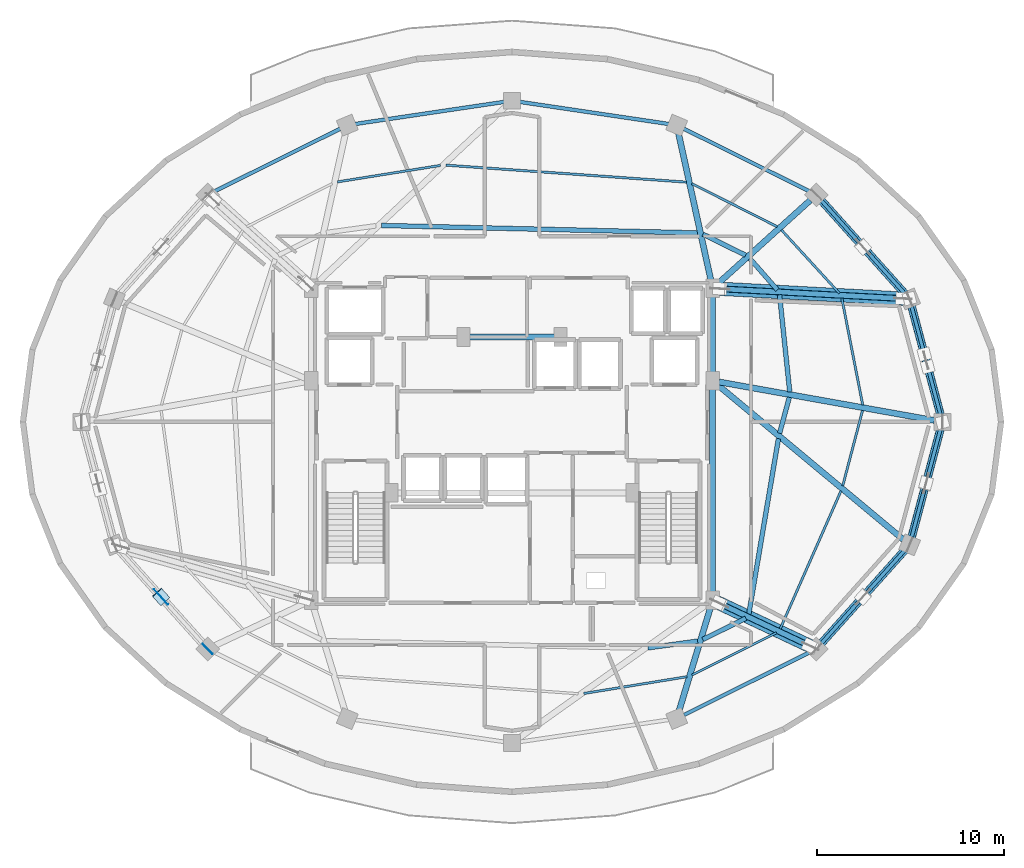
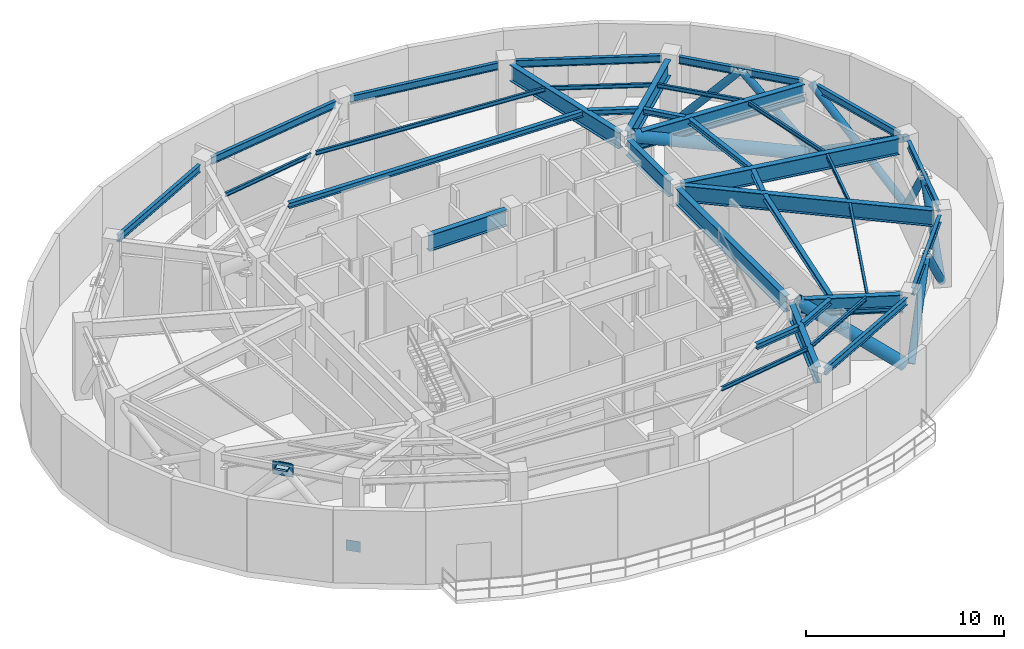
# One storey, part 2 of 10: 36 beams, 13 members, 4 plates.
"""IFC4 building model written with IfcOpenShell, lengths in metres."""

import ifcopenshell
import ifcopenshell.guid

model = None  # the IFC model being written
_history = None  # IfcOwnerHistory: only IFC2X3 demands one
_inside = {}  # id of a spatial element -> (the spatial element, [elements in it])
_under = {}  # id of a project, library or spatial element -> (it, [spatial elements below it])
_declared = {}  # id of a project -> (the project, [libraries it declares])
_typed = {}  # id of a type object -> (the type object, [elements of that type])
_made_of = {}  # id of a material, layer set ... -> (it, [elements and type objects made of it])


def new_model(schema):
    """Start an empty IFC model of exactly this schema.

    Asked for "IFC4X3", IfcOpenShell would pick the latest addendum, in which some entities
    have other attributes; the version numbers below select the first issue.
    IFC2X3 requires an IfcOwnerHistory on every rooted entity: one is made here for all.
    """
    global model, _history
    if schema == "IFC4X3":
        model = ifcopenshell.file(schema_version=(4, 3, 0, 0))
    else:
        model = ifcopenshell.file(schema=schema)
    _inside.clear()
    _under.clear()
    _declared.clear()
    _typed.clear()
    _made_of.clear()
    _history = None
    if model.schema == "IFC2X3":
        org = make("IfcOrganization", Name="unknown")
        user = make(
            "IfcPersonAndOrganization",
            ThePerson=make("IfcPerson", FamilyName="unknown"),
            TheOrganization=org,
        )
        app = make(
            "IfcApplication",
            ApplicationDeveloper=org,
            Version="unknown",
            ApplicationFullName="unknown",
            ApplicationIdentifier="unknown",
        )
        _history = make(
            "IfcOwnerHistory",
            OwningUser=user,
            OwningApplication=app,
            ChangeAction="ADDED",
            CreationDate=0,
        )
    return model


def make(cls, **values):
    """One entity of the class cls with the attributes given. An attribute that is None is left unset."""
    return model.create_entity(
        cls, **{name: value for name, value in values.items() if value is not None}
    )


def rooted(cls, **values):
    """An entity with a GlobalId (a new one), such as an element, a storey or a relation."""
    return make(cls, GlobalId=ifcopenshell.guid.new(), OwnerHistory=_history, **values)


def si_unit(unit_type, name, prefix=None):
    """IfcSIUnit, for example si_unit("LENGTHUNIT", "METRE", prefix="MILLI")."""
    return make("IfcSIUnit", UnitType=unit_type, Prefix=prefix, Name=name)


def assignment(units):
    """IfcUnitAssignment: the units of a project."""
    return None if units is None else make("IfcUnitAssignment", Units=units)


def point(xyz):
    """IfcCartesianPoint."""
    return None if xyz is None else make("IfcCartesianPoint", Coordinates=xyz)


def direction(xyz):
    """IfcDirection."""
    return None if xyz is None else make("IfcDirection", DirectionRatios=xyz)


def frame(location, z_axis=None, x_axis=None):
    """IfcAxis2Placement3D, a coordinate frame: its origin and axes. An axis left out is left unset."""
    return make(
        "IfcAxis2Placement3D",
        Location=point(location),
        Axis=direction(z_axis),
        RefDirection=direction(x_axis),
    )


def frame_2d(location, x_axis=None):
    """IfcAxis2Placement2D, a coordinate frame in the plane: its origin and x axis."""
    return make(
        "IfcAxis2Placement2D", Location=point(location), RefDirection=direction(x_axis)
    )


def origin():
    """The frame at (0, 0, 0) with its axes left unset."""
    return frame((0.0, 0.0, 0.0))


def origin_2d():
    """The frame at (0, 0) in the plane with its x axis left unset."""
    return frame_2d((0.0, 0.0))


def place(relative_to, where):
    """IfcLocalPlacement: puts the frame where relative to a parent placement (None: the world)."""
    return make(
        "IfcLocalPlacement", PlacementRelTo=relative_to, RelativePlacement=where
    )


def context(
    kind, dimensions, precision=None, world=None, true_north=None, identifier=None
):
    """IfcGeometricRepresentationContext, for example the 3D "Model" context."""
    return make(
        "IfcGeometricRepresentationContext",
        ContextIdentifier=identifier,
        ContextType=kind,
        CoordinateSpaceDimension=dimensions,
        Precision=precision,
        WorldCoordinateSystem=world,
        TrueNorth=true_north,
    )


def subcontext(parent, identifier, kind, view, scale=None):
    """IfcGeometricRepresentationSubContext, for example "Body" below "Model"."""
    return make(
        "IfcGeometricRepresentationSubContext",
        ContextIdentifier=identifier,
        ContextType=kind,
        ParentContext=parent,
        TargetScale=scale,
        TargetView=view,
    )


def project(units=None, contexts=None):
    """IfcProject with its units and contexts."""
    return rooted(
        "IfcProject",
        Name="project",
        RepresentationContexts=contexts,
        UnitsInContext=assignment(units),
    )


def spatial(cls, under=None, at=None, **own):
    """A site, building, storey or space (cls), placed at a placement, below another one or the project."""
    s = rooted(cls, ObjectPlacement=at, **own)
    if under is not None:
        _under.setdefault(under.id(), (under, []))[1].append(s)
    return s


def profile(cls, at=None, kind="AREA", **sizes):
    """A parametric profile (cls). Its sizes go by their IFC names, for example OverallWidth=200.0."""
    return make(cls, ProfileType=kind, Position=at, **sizes)


def rectangle(**sizes):
    """IfcRectangleProfileDef."""
    return profile("IfcRectangleProfileDef", **sizes)


def hollow_rectangle(**sizes):
    """IfcRectangleHollowProfileDef."""
    return profile("IfcRectangleHollowProfileDef", **sizes)


def hollow_circle(**sizes):
    """IfcCircleHollowProfileDef."""
    return profile("IfcCircleHollowProfileDef", **sizes)


def i_section(**sizes):
    """IfcIShapeProfileDef."""
    return profile("IfcIShapeProfileDef", **sizes)


def extrude(swept, where, along, depth):
    """IfcExtrudedAreaSolid: the profile swept, set in the frame where, extruded along a direction by depth."""
    return make(
        "IfcExtrudedAreaSolid",
        SweptArea=swept,
        Position=where,
        ExtrudedDirection=direction(along),
        Depth=depth,
    )


def shape(context_of_items, identifier, shape_type, items):
    """IfcShapeRepresentation: the items that make up one representation, for example the "Body"."""
    return make(
        "IfcShapeRepresentation",
        ContextOfItems=context_of_items,
        RepresentationIdentifier=identifier,
        RepresentationType=shape_type,
        Items=items,
    )


def material(Name=None, Category=None):
    """IfcMaterial."""
    return make("IfcMaterial", Name=Name, Category=Category)


def layer(
    of_material, thickness, ventilated=None, Name=None, Category=None, Priority=None
):
    """IfcMaterialLayer: one layer of a wall or slab, of a material (None: an air gap)."""
    return make(
        "IfcMaterialLayer",
        Material=of_material,
        LayerThickness=thickness,
        IsVentilated=ventilated,
        Name=Name,
        Category=Category,
        Priority=Priority,
    )


def layer_set(layers, Name=None):
    """IfcMaterialLayerSet."""
    return make("IfcMaterialLayerSet", MaterialLayers=layers, LayerSetName=Name)


def material_profile(
    of_material, cross_section, Name=None, Category=None, Priority=None
):
    """IfcMaterialProfile: a cross section and its material."""
    return make(
        "IfcMaterialProfile",
        Name=Name,
        Material=of_material,
        Profile=cross_section,
        Priority=Priority,
        Category=Category,
    )


def profile_set(profiles, Name=None, composite=None):
    """IfcMaterialProfileSet."""
    return make(
        "IfcMaterialProfileSet",
        Name=Name,
        MaterialProfiles=profiles,
        CompositeProfile=composite,
    )


def made_of(thing, what):
    """Note that an element or type object is made of a material, layer set ...; save() writes the relation."""
    if what is not None:
        _made_of.setdefault(what.id(), (what, []))[1].append(thing)
    return thing


def type_object(cls, material=None, **own):
    """A type object (cls), such as IfcWallType, which elements share."""
    return made_of(rooted(cls, **own), material)


def element(
    cls,
    number,
    at=None,
    inside=None,
    cuts=None,
    type_object=None,
    material=None,
    context=None,
    identifier="Body",
    shape_type=None,
    held_by="IfcProductDefinitionShape",
    body=None,
    shapes=None,
    **own,
):
    """One element of the class cls, such as IfcWall. Its Tag is "e" and its number.

    at: its placement. inside: the storey or other place that contains it. cuts: it is an
    opening in that element (IfcRelVoidsElement). A single representation is given by context,
    identifier, shape_type and body (its items); several are given by shapes. held_by: the class
    of the entity that holds the representations. save() writes the other relations.
    """
    e = rooted(cls, Tag="e%d" % number, ObjectPlacement=at, **own)
    if body is not None:
        shapes = [shape(context, identifier, shape_type, body)]
    if shapes is not None:
        e.Representation = make(held_by, Representations=shapes)
    if inside is not None:
        _inside.setdefault(inside.id(), (inside, []))[1].append(e)
    if cuts is not None:
        rooted(
            "IfcRelVoidsElement", RelatingBuildingElement=cuts, RelatedOpeningElement=e
        )
    if type_object is not None:
        _typed.setdefault(type_object.id(), (type_object, []))[1].append(e)
    return made_of(e, material)


def aggregate(whole, parts):
    """IfcRelAggregates: a whole, such as a stair, and the parts it consists of."""
    return rooted("IfcRelAggregates", RelatingObject=whole, RelatedObjects=parts)


def save(model, path):
    """Write the relations noted so far, then the file.

    IfcRelAggregates (storeys below a building ...), IfcRelContainedInSpatialStructure (elements
    in a storey), IfcRelDefinesByType, IfcRelAssociatesMaterial and IfcRelDeclares: one each for
    every whole, place, type object, material and project.
    """
    for whole, parts in _under.values():
        aggregate(whole, parts)
    for where, things in _inside.values():
        rooted(
            "IfcRelContainedInSpatialStructure",
            RelatedElements=things,
            RelatingStructure=where,
        )
    for kind, things in _typed.values():
        rooted("IfcRelDefinesByType", RelatedObjects=things, RelatingType=kind)
    for what, things in _made_of.values():
        rooted("IfcRelAssociatesMaterial", RelatedObjects=things, RelatingMaterial=what)
    for by, libraries in _declared.values():
        rooted("IfcRelDeclares", RelatingContext=by, RelatedDefinitions=libraries)
    model.write(path)


model = new_model("IFC4")

# Units and contexts
model_context = context("Model", 3, precision=1e-05, world=origin(), true_north=direction((0.0, 1.0)))
body_context = subcontext(model_context, "Body", "Model", "MODEL_VIEW")
ifc_project = project(units=[si_unit("LENGTHUNIT", "METRE"), si_unit("AREAUNIT", "SQUARE_METRE"), si_unit("VOLUMEUNIT", "CUBIC_METRE"), si_unit("PLANEANGLEUNIT", "RADIAN"), si_unit("MASSUNIT", "GRAM", prefix="KILO")], contexts=[model_context])

# Site, building, storey
site_placement = place(None, origin())
site = spatial("IfcSite", under=ifc_project, at=site_placement, CompositionType="ELEMENT")
building_placement = place(site_placement, origin())
building = spatial("IfcBuilding", under=site, at=building_placement, Name="Vorneva Point Tower", CompositionType="ELEMENT")
storey_placement = place(building_placement, frame((0.0, 0.0, 224.949951171875)))
storey = spatial("IfcBuildingStorey", under=building, at=storey_placement, Name="L61", CompositionType="ELEMENT", Elevation=224.949951171875)

# Beams
ifc_material_1 = material(Name="Steel S460", Category="steel")
ifc_material_profile_1 = material_profile(ifc_material_1, i_section(OverallWidth=0.320068359375, OverallDepth=0.998046875, WebThickness=0.01708984375, FlangeThickness=0.027099609375, at=origin_2d()), Name="100Sh2")
ifc_profile_set_1 = profile_set([ifc_material_profile_1], Name="Steel S460")
beam_type_1 = type_object("IfcBeamType", Name="BM-GRD-100Sh2", PredefinedType="USERDEFINED", material=ifc_profile_set_1)
beam_1_placement = place(storey_placement, frame((60.618896484375, 26.0771484375, 4.0009765625), z_axis=(-0.984378602255, 0.176064668298, 0.0), x_axis=(-0.176064668298, -0.984378602255, 0.0)))
element("IfcBeam", 1, at=beam_1_placement, inside=storey, type_object=beam_type_1, Name="L61 Radial Primary Girder 01", ObjectType="GIRDER", PredefinedType="USERDEFINED", context=body_context, shape_type="SweptSolid", body=[
    extrude(i_section(OverallWidth=0.320068359375, OverallDepth=0.998046875, WebThickness=0.01708984375, FlangeThickness=0.027099609375, at=origin_2d()), origin(), (0.0, 0.0, 1.0), 11.71728515625),
])
beam_2_placement = place(storey_placement, frame((58.85791015625, 32.605712890625, 4.0009765625), z_axis=(-0.998554028182, 0.053757351146, 0.0), x_axis=(-0.053757351146, -0.998554028182, 0.0)))
element("IfcBeam", 2, at=beam_2_placement, inside=storey, type_object=beam_type_1, Name="L61 Radial Primary Girder 02", ObjectType="GIRDER", PredefinedType="USERDEFINED", context=body_context, shape_type="SweptSolid", body=[
    extrude(i_section(OverallWidth=0.320068359375, OverallDepth=0.998046875, WebThickness=0.01708984375, FlangeThickness=0.027099609375, at=origin_2d()), origin(), (0.0, 0.0, 1.0), 9.782470703125),
])
beam_3_placement = place(storey_placement, frame((53.973876953125, 37.86865234375, 4.0009765625), z_axis=(-0.742089778537, -0.670300500217, 0.0), x_axis=(0.670300500217, -0.742089778537, 0.0)))
element("IfcBeam", 3, at=beam_3_placement, inside=storey, type_object=beam_type_1, Name="L61 Radial Primary Girder 03", ObjectType="GIRDER", PredefinedType="USERDEFINED", context=body_context, shape_type="SweptSolid", body=[
    extrude(i_section(OverallWidth=0.320068359375, OverallDepth=0.998046875, WebThickness=0.01708984375, FlangeThickness=0.027099609375, at=origin_2d()), origin(), (0.0, 0.0, 1.0), 6.699462890625),
])
beam_4_placement = place(storey_placement, frame((46.915283203125, 41.462890625, 4.0009765625), z_axis=(0.215522758292, -0.976498817541, 0.0), x_axis=(0.976498817541, 0.215522758292, 0.0)))
element("IfcBeam", 4, at=beam_4_placement, inside=storey, type_object=beam_type_1, Name="L61 Radial Primary Girder 04", ObjectType="GIRDER", PredefinedType="USERDEFINED", context=body_context, shape_type="SweptSolid", body=[
    extrude(i_section(OverallWidth=0.320068359375, OverallDepth=0.998046875, WebThickness=0.01708984375, FlangeThickness=0.027099609375, at=origin_2d()), origin(), (0.0, 0.0, 1.0), 8.173095703125),
])
beam_5_placement = place(storey_placement, frame((46.948486328125, 10.5283203125, 4.0009765625), z_axis=(0.291025429135, 0.956715317948, 0.0), x_axis=(-0.956715317948, 0.291025429135, 0.0)))
element("IfcBeam", 5, at=beam_5_placement, inside=storey, type_object=beam_type_1, Name="L61 Radial Primary Girder 14", ObjectType="GIRDER", PredefinedType="USERDEFINED", context=body_context, shape_type="SweptSolid", body=[
    extrude(i_section(OverallWidth=0.320068359375, OverallDepth=0.998046875, WebThickness=0.01708984375, FlangeThickness=0.027099609375, at=origin_2d()), origin(), (0.0, 0.0, 1.0), 5.849609375),
])
beam_6_placement = place(storey_placement, frame((53.902587890625, 14.0244140625, 4.0009765625), z_axis=(-0.904762899762, 0.42591559635, 0.0), x_axis=(-0.42591559635, -0.904762899762, 0.0)))
element("IfcBeam", 6, at=beam_6_placement, inside=storey, type_object=beam_type_1, Name="L61 Radial Primary Girder 15", ObjectType="GIRDER", PredefinedType="USERDEFINED", context=body_context, shape_type="SweptSolid", body=[
    extrude(i_section(OverallWidth=0.320068359375, OverallDepth=0.998046875, WebThickness=0.01708984375, FlangeThickness=0.027099609375, at=origin_2d()), origin(), (0.0, 0.0, 1.0), 5.35498046875),
])
beam_7_placement = place(storey_placement, frame((58.958740234375, 19.697998046875, 4.0009765625), z_axis=(-0.768417564517, 0.639948784311, 0.0), x_axis=(-0.639948784311, -0.768417564517, 0.0)))
element("IfcBeam", 7, at=beam_7_placement, inside=storey, type_object=beam_type_1, Name="L61 Radial Primary Girder 16", ObjectType="GIRDER", PredefinedType="USERDEFINED", context=body_context, shape_type="SweptSolid", body=[
    extrude(i_section(OverallWidth=0.320068359375, OverallDepth=0.998046875, WebThickness=0.01708984375, FlangeThickness=0.027099609375, at=origin_2d()), origin(), (0.0, 0.0, 1.0), 12.945556640625),
])
beam_8_placement = place(storey_placement, frame((48.75, 16.77001953125, 4.0009765625), z_axis=(0.0, 1.0, 0.0), x_axis=(-1.0, 0.0, 0.0)))
element("IfcBeam", 8, at=beam_8_placement, inside=storey, type_object=beam_type_1, Name="L61 Core Tie Girder CT3", ObjectType="GIRDER", PredefinedType="USERDEFINED", context=body_context, shape_type="SweptSolid", body=[
    extrude(i_section(OverallWidth=0.320068359375, OverallDepth=0.998046875, WebThickness=0.01708984375, FlangeThickness=0.027099609375, at=origin_2d()), origin(), (0.0, 0.0, 1.0), 11.10986328125),
])
beam_9_placement = place(storey_placement, frame((48.75, 28.52001953125, 4.0009765625), z_axis=(0.0, 1.0, 0.0), x_axis=(-1.0, 0.0, 0.0)))
element("IfcBeam", 9, at=beam_9_placement, inside=storey, type_object=beam_type_1, Name="L61 Core Tie Girder CT4", ObjectType="GIRDER", PredefinedType="USERDEFINED", context=body_context, shape_type="SweptSolid", body=[
    extrude(i_section(OverallWidth=0.320068359375, OverallDepth=0.998046875, WebThickness=0.01708984375, FlangeThickness=0.027099609375, at=origin_2d()), origin(), (0.0, 0.0, 1.0), 4.31005859375),
])
beam_10_placement = place(storey_placement, frame((35.719970703125, 30.550048828125, 4.0009765625), z_axis=(1.0, 0.0, 0.0), x_axis=(0.0, 1.0, 0.0)))
element("IfcBeam", 10, at=beam_10_placement, inside=storey, type_object=beam_type_1, Name="L61 Core Tie Girder CT8", ObjectType="GIRDER", PredefinedType="USERDEFINED", context=body_context, shape_type="SweptSolid", body=[
    extrude(i_section(OverallWidth=0.320068359375, OverallDepth=0.998046875, WebThickness=0.01708984375, FlangeThickness=0.027099609375, at=origin_2d()), origin(), (0.0, 0.0, 1.0), 4.56005859375),
])
ifc_material_2 = material(Name="Steel S355", Category="steel")
ifc_material_profile_2 = material_profile(ifc_material_2, i_section(OverallWidth=0.1240234375, OverallDepth=0.248046875, WebThickness=0.0048828125, FlangeThickness=0.008056640625, at=origin_2d()), Name="25B1")
ifc_profile_set_2 = profile_set([ifc_material_profile_2], Name="Steel S355")
beam_type_2 = type_object("IfcBeamType", Name="BM-JST-25B1", PredefinedType="JOIST", material=ifc_profile_set_2)
beam_11_placement = place(storey_placement, frame((56.7841796875, 26.903076171875, 4.3759765625), z_axis=(-0.192022110595, 0.98139059963, 0.0), x_axis=(-0.98139059963, -0.192022110595, 0.0)))
element("IfcBeam", 11, at=beam_11_placement, inside=storey, type_object=beam_type_2, Name="L61 Secondary Floor Beam 1.01", PredefinedType="JOIST", context=body_context, shape_type="SweptSolid", body=[
    extrude(i_section(OverallWidth=0.1240234375, OverallDepth=0.248046875, WebThickness=0.0048828125, FlangeThickness=0.008056640625, at=origin_2d()), origin(), (0.0, 0.0, 1.0), 5.839599609375),
])
beam_12_placement = place(storey_placement, frame((55.534423828125, 32.888427734375, 4.3759765625), z_axis=(-0.675084243002, 0.737740648772, 0.0), x_axis=(-0.737740648772, -0.675084243002, 0.0)))
element("IfcBeam", 12, at=beam_12_placement, inside=storey, type_object=beam_type_2, Name="L61 Secondary Floor Beam 1.02", PredefinedType="JOIST", context=body_context, shape_type="SweptSolid", body=[
    extrude(i_section(OverallWidth=0.1240234375, OverallDepth=0.248046875, WebThickness=0.0048828125, FlangeThickness=0.008056640625, at=origin_2d()), origin(), (0.0, 0.0, 1.0), 4.593994140625),
])
beam_13_placement = place(storey_placement, frame((52.201171875, 36.453369140625, 4.3759765625), z_axis=(-0.892618397327, 0.450813039688, 0.0), x_axis=(-0.450813039688, -0.892618397327, 0.0)))
element("IfcBeam", 13, at=beam_13_placement, inside=storey, type_object=beam_type_2, Name="L61 Secondary Floor Beam 1.03", PredefinedType="JOIST", context=body_context, shape_type="SweptSolid", body=[
    extrude(i_section(OverallWidth=0.1240234375, OverallDepth=0.248046875, WebThickness=0.0048828125, FlangeThickness=0.008056640625, at=origin_2d()), origin(), (0.0, 0.0, 1.0), 5.12255859375),
])
beam_14_placement = place(storey_placement, frame((47.348876953125, 38.839599609375, 4.3759765625), z_axis=(-0.997515672056, 0.070444900477, 0.0), x_axis=(-0.070444900477, -0.997515672056, 0.0)))
element("IfcBeam", 14, at=beam_14_placement, inside=storey, type_object=beam_type_2, Name="L61 Secondary Floor Beam 1.04", PredefinedType="JOIST", context=body_context, shape_type="SweptSolid", body=[
    extrude(i_section(OverallWidth=0.1240234375, OverallDepth=0.248046875, WebThickness=0.0048828125, FlangeThickness=0.008056640625, at=origin_2d()), origin(), (0.0, 0.0, 1.0), 12.9130859375),
])
beam_15_placement = place(storey_placement, frame((34.173828125, 39.736328125, 4.3759765625), z_axis=(-0.98744281042, -0.15797688486, 0.0), x_axis=(0.15797688486, -0.98744281042, 0.0)))
element("IfcBeam", 15, at=beam_15_placement, inside=storey, type_object=beam_type_2, Name="L61 Secondary Floor Beam 1.05", PredefinedType="JOIST", context=body_context, shape_type="SweptSolid", body=[
    extrude(i_section(OverallWidth=0.1240234375, OverallDepth=0.248046875, WebThickness=0.0048828125, FlangeThickness=0.008056640625, at=origin_2d()), origin(), (0.0, 0.0, 1.0), 5.594482421875),
])
beam_16_placement = place(storey_placement, frame((41.84130859375, 11.453369140625, 4.3759765625), z_axis=(0.987039433783, 0.160477899277, 0.0), x_axis=(-0.160477899277, 0.987039433783, 0.0)))
element("IfcBeam", 16, at=beam_16_placement, inside=storey, type_object=beam_type_2, Name="L61 Secondary Floor Beam 1.13", PredefinedType="JOIST", context=body_context, shape_type="SweptSolid", body=[
    extrude(i_section(OverallWidth=0.1240234375, OverallDepth=0.248046875, WebThickness=0.0048828125, FlangeThickness=0.008056640625, at=origin_2d()), origin(), (0.0, 0.0, 1.0), 5.595458984375),
])
beam_17_placement = place(storey_placement, frame((47.642578125, 12.44140625, 4.3759765625), z_axis=(0.894041288209, 0.447984570022, 0.0), x_axis=(-0.447984570022, 0.894041288209, 0.0)))
element("IfcBeam", 17, at=beam_17_placement, inside=storey, type_object=beam_type_2, Name="L61 Secondary Floor Beam 1.14", PredefinedType="JOIST", context=body_context, shape_type="SweptSolid", body=[
    extrude(i_section(OverallWidth=0.1240234375, OverallDepth=0.248046875, WebThickness=0.0048828125, FlangeThickness=0.008056640625, at=origin_2d()), origin(), (0.0, 0.0, 1.0), 5.0654296875),
])
beam_18_placement = place(storey_placement, frame((52.36328125, 14.91259765625, 4.3759765625), z_axis=(0.403185741412, 0.915118166098, 0.0), x_axis=(-0.915118166098, 0.403185741412, 0.0)))
element("IfcBeam", 18, at=beam_18_placement, inside=storey, type_object=beam_type_2, Name="L61 Secondary Floor Beam 1.15", PredefinedType="JOIST", context=body_context, shape_type="SweptSolid", body=[
    extrude(i_section(OverallWidth=0.1240234375, OverallDepth=0.248046875, WebThickness=0.0048828125, FlangeThickness=0.008056640625, at=origin_2d()), origin(), (0.0, 0.0, 1.0), 8.068603515625),
])
beam_19_placement = place(storey_placement, frame((55.713623046875, 22.5751953125, 4.3759765625), z_axis=(0.254099092917, 0.96717818988, 0.0), x_axis=(-0.96717818988, 0.254099092917, 0.0)))
element("IfcBeam", 19, at=beam_19_placement, inside=storey, type_object=beam_type_2, Name="L61 Secondary Floor Beam 1.16", PredefinedType="JOIST", context=body_context, shape_type="SweptSolid", body=[
    extrude(i_section(OverallWidth=0.1240234375, OverallDepth=0.248046875, WebThickness=0.0048828125, FlangeThickness=0.008056640625, at=origin_2d()), origin(), (0.0, 0.0, 1.0), 4.176513671875),
])
ifc_material_profile_3 = material_profile(ifc_material_2, i_section(OverallWidth=0.2490234375, OverallDepth=0.333984375, WebThickness=0.008056640625, FlangeThickness=0.010986328125, at=origin_2d()), Name="35Sh1")
ifc_profile_set_3 = profile_set([ifc_material_profile_3], Name="Steel S355")
beam_type_3 = type_object("IfcBeamType", Name="BM-SEC-35Sh1", PredefinedType="BEAM", material=ifc_profile_set_3)
beam_20_placement = place(storey_placement, frame((52.87548828125, 27.6064453125, 4.3330078125), z_axis=(-0.104505068857, 0.994524353942, 0.0), x_axis=(-0.994524353942, -0.104505068857, 0.0)))
element("IfcBeam", 20, at=beam_20_placement, inside=storey, type_object=beam_type_3, Name="L61 Secondary Floor Beam 2.01", PredefinedType="BEAM", context=body_context, shape_type="SweptSolid", body=[
    extrude(i_section(OverallWidth=0.2490234375, OverallDepth=0.333984375, WebThickness=0.008056640625, FlangeThickness=0.010986328125, at=origin_2d()), origin(), (0.0, 0.0, 1.0), 5.23291015625),
])
beam_21_placement = place(storey_placement, frame((52.21533203125, 33.0693359375, 4.3330078125), z_axis=(-0.659910991977, 0.751343784608, 0.0), x_axis=(-0.751343784608, -0.659910991977, 0.0)))
element("IfcBeam", 21, at=beam_21_placement, inside=storey, type_object=beam_type_3, Name="L61 Secondary Floor Beam 2.02", PredefinedType="BEAM", context=body_context, shape_type="SweptSolid", body=[
    extrude(i_section(OverallWidth=0.2490234375, OverallDepth=0.333984375, WebThickness=0.008056640625, FlangeThickness=0.010986328125, at=origin_2d()), origin(), (0.0, 0.0, 1.0), 2.23486328125),
])
beam_22_placement = place(storey_placement, frame((50.51025390625, 34.92529296875, 4.3330078125), z_axis=(-0.896927178467, 0.442178285907, 0.0), x_axis=(-0.442178285907, -0.896927178467, 0.0)))
element("IfcBeam", 22, at=beam_22_placement, inside=storey, type_object=beam_type_3, Name="L61 Secondary Floor Beam 2.03", PredefinedType="BEAM", context=body_context, shape_type="SweptSolid", body=[
    extrude(i_section(OverallWidth=0.2490234375, OverallDepth=0.333984375, WebThickness=0.008056640625, FlangeThickness=0.010986328125, at=origin_2d()), origin(), (0.0, 0.0, 1.0), 2.544189453125),
])
beam_23_placement = place(storey_placement, frame((47.947509765625, 36.119140625, 4.3330078125), z_axis=(-0.999720148473, 0.023656388924, 0.0), x_axis=(-0.023656388924, -0.999720148473, 0.0)))
element("IfcBeam", 23, at=beam_23_placement, inside=storey, type_object=beam_type_3, Name="L61 Secondary Floor Beam 2.04", PredefinedType="BEAM", context=body_context, shape_type="SweptSolid", body=[
    extrude(i_section(OverallWidth=0.2490234375, OverallDepth=0.333984375, WebThickness=0.008056640625, FlangeThickness=0.010986328125, at=origin_2d()), origin(), (0.0, 0.0, 1.0), 16.94580078125),
])
beam_24_placement = place(storey_placement, frame((45.28125, 13.897216796875, 4.3330078125), z_axis=(0.990931677857, 0.134366699071, 0.0), x_axis=(-0.134366699071, 0.990931677857, 0.0)))
element("IfcBeam", 24, at=beam_24_placement, inside=storey, type_object=beam_type_3, Name="L61 Secondary Floor Beam 2.13", PredefinedType="BEAM", context=body_context, shape_type="SweptSolid", body=[
    extrude(i_section(OverallWidth=0.2490234375, OverallDepth=0.333984375, WebThickness=0.008056640625, FlangeThickness=0.010986328125, at=origin_2d()), origin(), (0.0, 0.0, 1.0), 2.685546875),
])
beam_25_placement = place(storey_placement, frame((48.2216796875, 14.34375, 4.3330078125), z_axis=(0.89567743454, 0.444704321158, 0.0), x_axis=(-0.444704321158, 0.89567743454, 0.0)))
element("IfcBeam", 25, at=beam_25_placement, inside=storey, type_object=beam_type_3, Name="L61 Secondary Floor Beam 2.14", PredefinedType="BEAM", context=body_context, shape_type="SweptSolid", body=[
    extrude(i_section(OverallWidth=0.2490234375, OverallDepth=0.333984375, WebThickness=0.008056640625, FlangeThickness=0.010986328125, at=origin_2d()), origin(), (0.0, 0.0, 1.0), 2.5703125),
])
beam_26_placement = place(storey_placement, frame((50.68115234375, 15.698486328125, 4.3330078125), z_axis=(0.166519843804, 0.986038103533, 0.0), x_axis=(-0.986038103533, 0.166519843804, 0.0)))
element("IfcBeam", 26, at=beam_26_placement, inside=storey, type_object=beam_type_3, Name="L61 Secondary Floor Beam 2.15", PredefinedType="BEAM", context=body_context, shape_type="SweptSolid", body=[
    extrude(i_section(OverallWidth=0.2490234375, OverallDepth=0.333984375, WebThickness=0.008056640625, FlangeThickness=0.010986328125, at=origin_2d()), origin(), (0.0, 0.0, 1.0), 9.537109375),
])
beam_27_placement = place(storey_placement, frame((52.33251953125, 25.3916015625, 4.3330078125), z_axis=(0.260702374567, 0.965419220803, 0.0), x_axis=(-0.965419220803, 0.260702374567, 0.0)))
element("IfcBeam", 27, at=beam_27_placement, inside=storey, type_object=beam_type_3, Name="L61 Secondary Floor Beam 2.16", PredefinedType="BEAM", context=body_context, shape_type="SweptSolid", body=[
    extrude(i_section(OverallWidth=0.2490234375, OverallDepth=0.333984375, WebThickness=0.008056640625, FlangeThickness=0.010986328125, at=origin_2d()), origin(), (0.0, 0.0, 1.0), 1.99365234375),
])
ifc_material_profile_4 = material_profile(ifc_material_2, i_section(OverallWidth=0.198974609375, OverallDepth=0.446044921875, WebThickness=0.008056640625, FlangeThickness=0.011962890625, at=origin_2d()), Name="45B1")
ifc_profile_set_4 = profile_set([ifc_material_profile_4], Name="Steel S355")
beam_type_4 = type_object("IfcBeamType", Name="BM-SPN-45B1", PredefinedType="SPANDREL", material=ifc_profile_set_4)
beam_28_placement = place(storey_placement, frame((60.93798828125, 26.42041015625, 4.277099609375), z_axis=(-0.257578258003, 0.966257440336, 0.0), x_axis=(-0.966257440336, -0.257578258003, 0.0)))
element("IfcBeam", 28, at=beam_28_placement, inside=storey, type_object=beam_type_4, Name="L61 Perimeter Spandrel Ring Beam 01", PredefinedType="SPANDREL", context=body_context, shape_type="SweptSolid", body=[
    extrude(i_section(OverallWidth=0.198974609375, OverallDepth=0.446044921875, WebThickness=0.008056640625, FlangeThickness=0.011962890625, at=origin_2d()), origin(), (0.0, 0.0, 1.0), 5.94189453125),
])
beam_29_placement = place(storey_placement, frame((59.005126953125, 32.90625, 4.277099609375), z_axis=(-0.66706970547, 0.744995307397, 0.0), x_axis=(-0.744995307397, -0.66706970547, 0.0)))
element("IfcBeam", 29, at=beam_29_placement, inside=storey, type_object=beam_type_4, Name="L61 Perimeter Spandrel Ring Beam 02", PredefinedType="SPANDREL", context=body_context, shape_type="SweptSolid", body=[
    extrude(i_section(OverallWidth=0.198974609375, OverallDepth=0.446044921875, WebThickness=0.008056640625, FlangeThickness=0.011962890625, at=origin_2d()), origin(), (0.0, 0.0, 1.0), 6.6201171875),
])
beam_30_placement = place(storey_placement, frame((53.909423828125, 38.356201171875, 4.277099609375), z_axis=(-0.894922371084, 0.446221861559, 0.0), x_axis=(-0.446221861559, -0.894922371084, 0.0)))
element("IfcBeam", 30, at=beam_30_placement, inside=storey, type_object=beam_type_4, Name="L61 Perimeter Spandrel Ring Beam 03", PredefinedType="SPANDREL", context=body_context, shape_type="SweptSolid", body=[
    extrude(i_section(OverallWidth=0.198974609375, OverallDepth=0.446044921875, WebThickness=0.008056640625, FlangeThickness=0.011962890625, at=origin_2d()), origin(), (0.0, 0.0, 1.0), 7.48583984375),
])
for number, where, z_axis, x_axis, name in (
    (31, (46.390625, 41.95458984375, 4.277099609375), (-0.989165476332, 0.146804837907, 0.0), (-0.146804837907, -0.989165476332, 0.0), "L61 Perimeter Spandrel Ring Beam 04"),
    (32, (37.569580078125, 43.135986328125, 4.277099609375), (-0.989165476332, -0.146804837907, 0.0), (0.146804837907, -0.989165476332, 0.0), "L61 Perimeter Spandrel Ring Beam 05"),
):
    element("IfcBeam", number, at=place(storey_placement, frame(where, z_axis=z_axis, x_axis=x_axis)), inside=storey, type_object=beam_type_4, Name=name, PredefinedType="SPANDREL", context=body_context, shape_type="SweptSolid", body=[
        extrude(i_section(OverallWidth=0.198974609375, OverallDepth=0.446044921875, WebThickness=0.008056640625, FlangeThickness=0.011962890625, at=origin_2d()), origin(), (0.0, 0.0, 1.0), 8.04736328125),
    ])
for number, where, z_axis, x_axis, name in (
    (33, (28.789794921875, 41.696533203125, 4.277099609375), (-0.894922371084, -0.446221861559, 0.0), (0.446221861559, -0.894922371084, 0.0), "L61 Perimeter Spandrel Ring Beam 06"),
    (34, (47.210205078125, 10.303466796875, 4.277099609375), (0.894922371084, 0.446221861559, 0.0), (-0.446221861559, 0.894922371084, 0.0), "L61 Perimeter Spandrel Ring Beam 14"),
):
    element("IfcBeam", number, at=place(storey_placement, frame(where, z_axis=z_axis, x_axis=x_axis)), inside=storey, type_object=beam_type_4, Name=name, PredefinedType="SPANDREL", context=body_context, shape_type="SweptSolid", body=[
        extrude(i_section(OverallWidth=0.198974609375, OverallDepth=0.446044921875, WebThickness=0.008056640625, FlangeThickness=0.011962890625, at=origin_2d()), origin(), (0.0, 0.0, 1.0), 7.48583984375),
    ])
beam_31_placement = place(storey_placement, frame((54.589111328125, 14.161865234375, 4.277099609375), z_axis=(0.66706970547, 0.744995307397, 0.0), x_axis=(-0.744995307397, 0.66706970547, 0.0)))
element("IfcBeam", 35, at=beam_31_placement, inside=storey, type_object=beam_type_4, Name="L61 Perimeter Spandrel Ring Beam 15", PredefinedType="SPANDREL", context=body_context, shape_type="SweptSolid", body=[
    extrude(i_section(OverallWidth=0.198974609375, OverallDepth=0.446044921875, WebThickness=0.008056640625, FlangeThickness=0.011962890625, at=origin_2d()), origin(), (0.0, 0.0, 1.0), 6.6201171875),
])
beam_32_placement = place(storey_placement, frame((59.407470703125, 19.838134765625, 4.277099609375), z_axis=(0.257578258003, 0.966257440336, 0.0), x_axis=(-0.966257440336, 0.257578258003, 0.0)))
element("IfcBeam", 36, at=beam_32_placement, inside=storey, type_object=beam_type_4, Name="L61 Perimeter Spandrel Ring Beam 16", PredefinedType="SPANDREL", context=body_context, shape_type="SweptSolid", body=[
    extrude(i_section(OverallWidth=0.198974609375, OverallDepth=0.446044921875, WebThickness=0.008056640625, FlangeThickness=0.011962890625, at=origin_2d()), origin(), (0.0, 0.0, 1.0), 5.94189453125),
])

# Members
ifc_material_profile_5 = material_profile(ifc_material_1, hollow_circle(Radius=0.212890625, WallThickness=0.01611328125, at=origin_2d()), Name="CHS 426x16")
ifc_profile_set_5 = profile_set([ifc_material_profile_5], Name="Steel S460")
member_type_1 = type_object("IfcMemberType", Name="MBR-BLT-CHS426", PredefinedType="BRACE", material=ifc_profile_set_5)
member_1_placement = place(storey_placement, frame((61.050048828125, 26.0, 0.1201171875), z_axis=(-0.218821253667, 0.820876557691, 0.527521502858), x_axis=(-0.966258134442, -0.257575654176, 0.0)))
element("IfcMember", 37, at=member_1_placement, inside=storey, type_object=member_type_1, Name="L61 Perimeter Belt-Truss Continuous X-Brace 01A", PredefinedType="BRACE", context=body_context, shape_type="SweptSolid", body=[
    extrude(hollow_circle(Radius=0.212890625, WallThickness=0.01611328125, at=origin_2d()), origin(), (0.0, 0.0, 1.0), 8.0185546875),
])
for number, where, z_axis, x_axis, name in (
    (38, (59.29541015625, 32.582275390625, 0.1201171875), (0.218815917235, -0.820884596043, 0.52751120779), (0.966260325527, 0.257567434494, 0.0), "L61 Perimeter Belt-Truss Split X-Brace 01B1"),
    (39, (60.26904296875, 28.929931640625, 2.467041015625), (0.21880802173, -0.820854976175, 0.527560572556), (0.966260325527, 0.257567434494, 0.0), "L61 Perimeter Belt-Truss Split X-Brace 01B2"),
):
    element("IfcMember", number, at=place(storey_placement, frame(where, z_axis=z_axis, x_axis=x_axis)), inside=storey, type_object=member_type_1, Name=name, PredefinedType="BRACE", context=body_context, shape_type="SweptSolid", body=[
        extrude(hollow_circle(Radius=0.212890625, WallThickness=0.01611328125, at=origin_2d()), origin(), (0.0, 0.0, 1.0), 3.5693359375),
    ])
member_2_placement = place(storey_placement, frame((59.29541015625, 32.582275390625, 0.1201171875), z_axis=(-0.442203032293, 0.493843081505, 0.748715893434), x_axis=(-0.744983810219, -0.6670825455, 0.0)))
element("IfcMember", 40, at=member_2_placement, inside=storey, type_object=member_type_1, Name="L61 Perimeter Belt-Truss Diagonal 02A", PredefinedType="BRACE", context=body_context, shape_type="SweptSolid", body=[
    extrude(hollow_circle(Radius=0.212890625, WallThickness=0.01611328125, at=origin_2d()), origin(), (0.0, 0.0, 1.0), 5.649658203125),
])
for number, where, z_axis, x_axis, name in (
    (41, (54.298828125, 38.162109375, 0.1201171875), (0.442212469084, -0.493810405963, 0.748731871333), (0.744954798906, 0.66711494331, 0.0), "L61 Perimeter Belt-Truss Diagonal 02B"),
    (42, (54.298828125, 13.837890625, 0.1201171875), (0.442212469084, 0.493810405963, 0.748731871333), (-0.744954798906, 0.66711494331, 0.0), "L61 Perimeter Belt-Truss Diagonal 15A"),
):
    element("IfcMember", number, at=place(storey_placement, frame(where, z_axis=z_axis, x_axis=x_axis)), inside=storey, type_object=member_type_1, Name=name, PredefinedType="BRACE", context=body_context, shape_type="SweptSolid", body=[
        extrude(hollow_circle(Radius=0.212890625, WallThickness=0.01611328125, at=origin_2d()), origin(), (0.0, 0.0, 1.0), 5.6494140625),
    ])
member_3_placement = place(storey_placement, frame((59.29541015625, 19.417724609375, 0.1201171875), z_axis=(-0.442203032293, -0.493843081505, 0.748715893434), x_axis=(0.744983810219, -0.6670825455, 0.0)))
element("IfcMember", 43, at=member_3_placement, inside=storey, type_object=member_type_1, Name="L61 Perimeter Belt-Truss Diagonal 15B", PredefinedType="BRACE", context=body_context, shape_type="SweptSolid", body=[
    extrude(hollow_circle(Radius=0.212890625, WallThickness=0.01611328125, at=origin_2d()), origin(), (0.0, 0.0, 1.0), 5.649658203125),
])
member_4_placement = place(storey_placement, frame((59.29541015625, 19.417724609375, 0.1201171875), z_axis=(0.161519889588, 0.606025502794, 0.778873812136), x_axis=(-0.96626943078, 0.257533273851, 0.0)))
element("IfcMember", 44, at=member_4_placement, inside=storey, type_object=member_type_1, Name="L61 Perimeter Belt-Truss Diagonal 16A", PredefinedType="BRACE", context=body_context, shape_type="SweptSolid", body=[
    extrude(hollow_circle(Radius=0.212890625, WallThickness=0.01611328125, at=origin_2d()), origin(), (0.0, 0.0, 1.0), 5.430908203125),
])
member_5_placement = place(storey_placement, frame((61.050048828125, 26.0, 0.1201171875), z_axis=(-0.161568071846, -0.605992656786, 0.778889374739), x_axis=(0.966246835672, -0.257618036158, 0.0)))
element("IfcMember", 45, at=member_5_placement, inside=storey, type_object=member_type_1, Name="L61 Perimeter Belt-Truss Diagonal 16B", PredefinedType="BRACE", context=body_context, shape_type="SweptSolid", body=[
    extrude(hollow_circle(Radius=0.212890625, WallThickness=0.01611328125, at=origin_2d()), origin(), (0.0, 0.0, 1.0), 5.4306640625),
])
ifc_material_profile_6 = material_profile(ifc_material_1, hollow_circle(Radius=0.360107421875, WallThickness=0.02490234375, at=origin_2d()), Name="CHS 720x25")
ifc_profile_set_6 = profile_set([ifc_material_profile_6], Name="Steel S460")
member_type_2 = type_object("IfcMemberType", Name="MBR-OUT-CHS720", PredefinedType="BRACE", material=ifc_profile_set_6)
member_6_placement = place(storey_placement, frame((49.099609375, 33.131103515625, 4.35009765625), z_axis=(0.917678828702, -0.049399472777, -0.394240103796), x_axis=(0.053753069566, 0.998554258672, 0.0)))
element("IfcMember", 46, at=member_6_placement, inside=storey, type_object=member_type_2, Name="L61 Core Outrigger Diagonal 02A", PredefinedType="BRACE", context=body_context, shape_type="SweptSolid", body=[
    extrude(hollow_circle(Radius=0.360107421875, WallThickness=0.02490234375, at=origin_2d()), origin(), (0.0, 0.0, 1.0), 10.7294921875),
])
member_7_placement = place(storey_placement, frame((49.066650390625, 16.30078125, 4.35009765625), z_axis=(0.713899496205, -0.336065333517, -0.61433508847), x_axis=(0.425913894715, 0.904763700802, 0.0)))
element("IfcMember", 47, at=member_7_placement, inside=storey, type_object=member_type_2, Name="L61 Core Outrigger Diagonal 15A", PredefinedType="BRACE", context=body_context, shape_type="SweptSolid", body=[
    extrude(hollow_circle(Radius=0.360107421875, WallThickness=0.02490234375, at=origin_2d()), origin(), (0.0, 0.0, 1.0), 6.885498046875),
])
ifc_material_profile_7 = material_profile(ifc_material_2, hollow_rectangle(XDim=0.300048828125, YDim=0.300048828125, WallThickness=0.013916015625, at=origin_2d()), Name="PK 300x300x14")
ifc_profile_set_7 = profile_set([ifc_material_profile_7], Name="Steel S355")
member_type_3 = type_object("IfcMemberType", Name="MBR-STR-PK300", PredefinedType="STRUT", material=ifc_profile_set_7)
member_8_placement = place(storey_placement, frame((49.19921875, 33.125732421875, 3.570068359375), z_axis=(0.998554359032, -0.053751205185, 0.0), x_axis=(0.053751205185, 0.998554359032, 0.0)))
element("IfcMember", 48, at=member_8_placement, inside=storey, type_object=member_type_3, Name="L61 Core Outrigger Collector Strut 02B", PredefinedType="STRUT", context=body_context, shape_type="SweptSolid", body=[
    extrude(hollow_rectangle(XDim=0.300048828125, YDim=0.300048828125, WallThickness=0.013916015625, at=origin_2d()), origin(), (0.0, 0.0, 1.0), 9.660888671875),
])
member_9_placement = place(storey_placement, frame((49.156982421875, 16.25830078125, 3.570068359375), z_axis=(0.904766886759, -0.425907126758, 0.0), x_axis=(0.425907126758, 0.904766886759, 0.0)))
element("IfcMember", 49, at=member_9_placement, inside=storey, type_object=member_type_3, Name="L61 Core Outrigger Collector Strut 15B", PredefinedType="STRUT", context=body_context, shape_type="SweptSolid", body=[
    extrude(hollow_rectangle(XDim=0.300048828125, YDim=0.300048828125, WallThickness=0.013916015625, at=origin_2d()), origin(), (0.0, 0.0, 1.0), 5.23291015625),
])

# Plates
ifc_layer_1 = layer(ifc_material_2, 0.028076171875)
ifc_layer_set_1 = layer_set([ifc_layer_1], Name="Steel S355")
plate_type_1 = type_object("IfcPlateType", Name="PLT-CAP-INT", PredefinedType="USERDEFINED", material=ifc_layer_set_1)
for number, where, z_axis, x_axis, name in (
    (50, (19.21630859375, 16.613037109375, 4.31640625), (0.0, 0.0, 1.0), (0.667091755948, -0.744975562784, 0.0), "L61 Perimeter Belt-Truss Diagonal 10A end closure plate 2"),
    (51, (19.189697265625, 16.642578125, 4.31640625), (0.0, 0.0, 1.0), (-0.667091755948, 0.744975562784, 0.0), "L61 Perimeter Belt-Truss Diagonal 10B end closure plate 2"),
):
    element("IfcPlate", number, at=place(storey_placement, frame(where, z_axis=z_axis, x_axis=x_axis)), inside=storey, type_object=plate_type_1, Name=name, ObjectType="BASE PLATE", PredefinedType="USERDEFINED", context=body_context, shape_type="SweptSolid", body=[
        extrude(rectangle(XDim=0.64990234375, YDim=0.64990234375, at=origin_2d()), origin(), (0.0, 0.0, 1.0), 0.112060546875),
    ])
ifc_layer_2 = layer(ifc_material_1, 0.031982421875)
ifc_layer_set_2 = layer_set([ifc_layer_2], Name="Steel S460")
plate_type_2 = type_object("IfcPlateType", Name="PLT-GUS-32", PredefinedType="USERDEFINED", material=ifc_layer_set_2)
plate_1_placement = place(storey_placement, frame((19.202880859375, 16.627685546875, 3.81005859375), z_axis=(0.0, 0.0, 1.0), x_axis=(0.667091755948, -0.744975562784, 0.0)))
element("IfcPlate", 52, at=plate_1_placement, inside=storey, type_object=plate_type_2, Name="L61 Belt-Truss Apex Gusset Plate 10", ObjectType="GUSSET PLATE", PredefinedType="USERDEFINED", context=body_context, shape_type="SweptSolid", body=[
    extrude(rectangle(XDim=1.10009765625, YDim=0.031982421875, at=origin_2d()), origin(), (0.0, 0.0, 1.0), 0.800048828125),
])
plate_2_placement = place(storey_placement, frame((21.701171875, 13.837890625, -0.054931640625), z_axis=(0.0, 0.0, 1.0), x_axis=(0.707106781187, -0.707106781187, 0.0)))
element("IfcPlate", 53, at=plate_2_placement, inside=storey, type_object=plate_type_2, Name="L61 Belt-Truss Column Base Gusset Plate 11", ObjectType="GUSSET PLATE", PredefinedType="USERDEFINED", context=body_context, shape_type="SweptSolid", body=[
    extrude(rectangle(XDim=0.75, YDim=0.031982421875, at=origin_2d()), origin(), (0.0, 0.0, 1.0), 0.64990234375),
])

save(model, "model.ifc")
